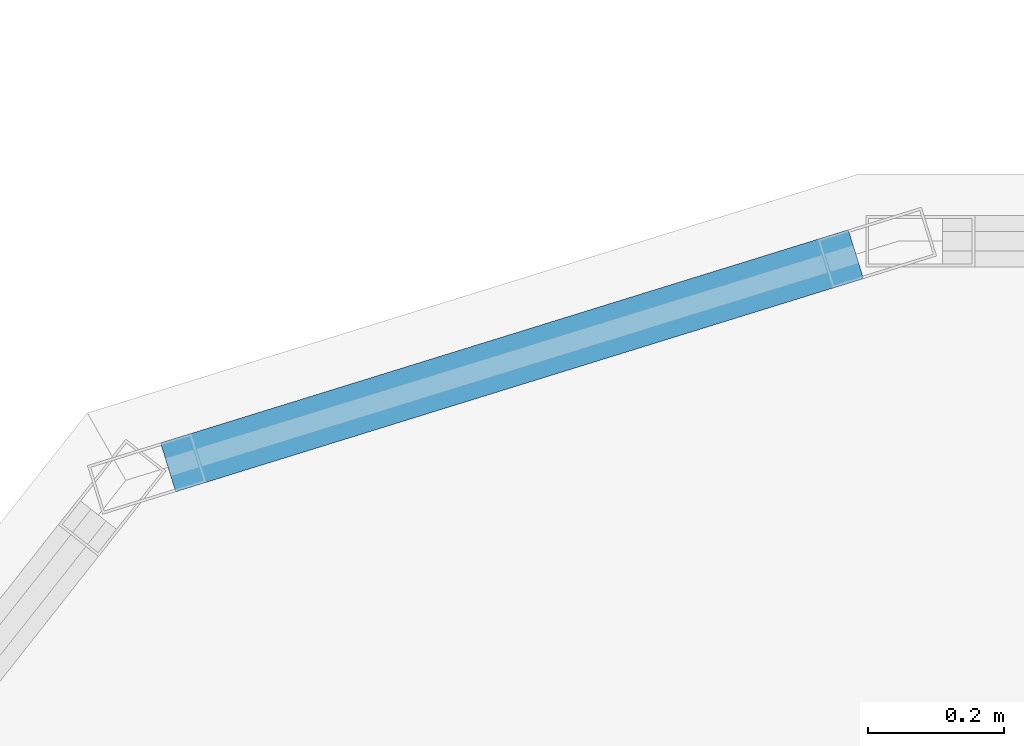
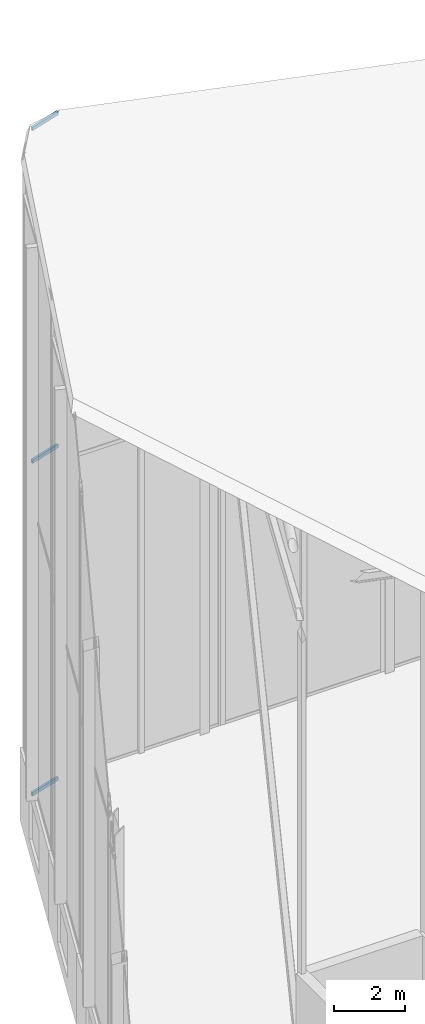
# One storey, part 42 of 74: 3 members, 1 element without a shape of its own.
"""IFC4 building model written with IfcOpenShell, lengths in metres."""

from ifc_helpers import new_model, si_unit, direction, frame, origin, origin_2d, place, context, subcontext, project, spatial, hollow_rectangle, extrude, material, layer, layer_set, material_profile, profile_set, type_object, element, aggregate, save


model = new_model("IFC4")

# Units and contexts
model_context = context("Model", 3, precision=1e-05, world=origin(), true_north=direction((0.0, 1.0)))
body_context = subcontext(model_context, "Body", "Model", "MODEL_VIEW")
ifc_project = project(units=[si_unit("LENGTHUNIT", "METRE"), si_unit("AREAUNIT", "SQUARE_METRE"), si_unit("VOLUMEUNIT", "CUBIC_METRE"), si_unit("PLANEANGLEUNIT", "RADIAN"), si_unit("MASSUNIT", "GRAM", prefix="KILO")], contexts=[model_context])

# Site, building, storey
site_placement = place(None, origin())
site = spatial("IfcSite", under=ifc_project, at=site_placement, CompositionType="ELEMENT")
building_placement = place(site_placement, origin())
building = spatial("IfcBuilding", under=site, at=building_placement, Name="Keshet Zoharim Tower", CompositionType="ELEMENT")
storey_placement = place(building_placement, frame((0.0, 0.0, 320.0)))
storey = spatial("IfcBuildingStorey", under=building, at=storey_placement, Name="RF", CompositionType="ELEMENT", Elevation=320.0)

# Curtain wall, members
ifc_material = material(Name="Aluminium 6063-T6", Category="aluminium")
ifc_layer = layer(ifc_material, 0.260009765625)
ifc_layer_set = layer_set([ifc_layer], Name="Aluminium 6063-T6")
curtain_wall_type = type_object("IfcCurtainWallType", Name="CW-SYS-06", PredefinedType="NOTDEFINED", material=ifc_layer_set)
curtain_wall_placement = place(storey_placement, origin())
curtain_wall = element("IfcCurtainWall", 1, at=curtain_wall_placement, inside=storey, type_object=curtain_wall_type, Name="Slanted Crown Curtain Wall 10", PredefinedType="NOTDEFINED")
ifc_material_profile = material_profile(ifc_material, hollow_rectangle(XDim=0.074951171875, YDim=0.1201171875, WallThickness=0.00390625, at=origin_2d()), Name="TRN-75x120")
ifc_profile_set = profile_set([ifc_material_profile], Name="Aluminium 6063-T6")
member_type = type_object("IfcMemberType", Name="CWT-T12", PredefinedType="USERDEFINED", material=ifc_profile_set)
member_1_placement = place(storey_placement, frame((15.302978515625, 53.568115234375, 0.032470703125), z_axis=(0.955172358291, 0.296050276064, 0.0), x_axis=(-0.296050276064, 0.955172358291, 0.0)))
member_1 = element("IfcMember", 2, at=member_1_placement, type_object=member_type, Name="CW-06 transom 1.1", ObjectType="TRANSOM", PredefinedType="USERDEFINED", context=body_context, shape_type="SweptSolid", body=[
    extrude(hollow_rectangle(XDim=0.074951171875, YDim=0.1201171875, WallThickness=0.00390625, at=origin_2d()), origin(), (0.0, 0.0, 1.0), 1.056396484375),
])
member_2_placement = place(storey_placement, frame((15.302978515625, 53.568115234375, 11.431884765625), z_axis=(0.955172358291, 0.296050276064, 0.0), x_axis=(-0.296050276064, 0.955172358291, 0.0)))
member_2 = element("IfcMember", 3, at=member_2_placement, type_object=member_type, Name="CW-06 transom 1.2", ObjectType="TRANSOM", PredefinedType="USERDEFINED", context=body_context, shape_type="SweptSolid", body=[
    extrude(hollow_rectangle(XDim=0.074951171875, YDim=0.1201171875, WallThickness=0.00390625, at=origin_2d()), origin(), (0.0, 0.0, 1.0), 1.056396484375),
])
member_3_placement = place(storey_placement, frame((15.302978515625, 53.568115234375, 22.83154296875), z_axis=(0.955172358291, 0.296050276064, 0.0), x_axis=(-0.296050276064, 0.955172358291, 0.0)))
member_3 = element("IfcMember", 4, at=member_3_placement, type_object=member_type, Name="CW-06 transom 1.3", ObjectType="TRANSOM", PredefinedType="USERDEFINED", context=body_context, shape_type="SweptSolid", body=[
    extrude(hollow_rectangle(XDim=0.074951171875, YDim=0.1201171875, WallThickness=0.00390625, at=origin_2d()), origin(), (0.0, 0.0, 1.0), 1.056396484375),
])
aggregate(curtain_wall, [member_1, member_2, member_3])

save(model, "model.ifc")
